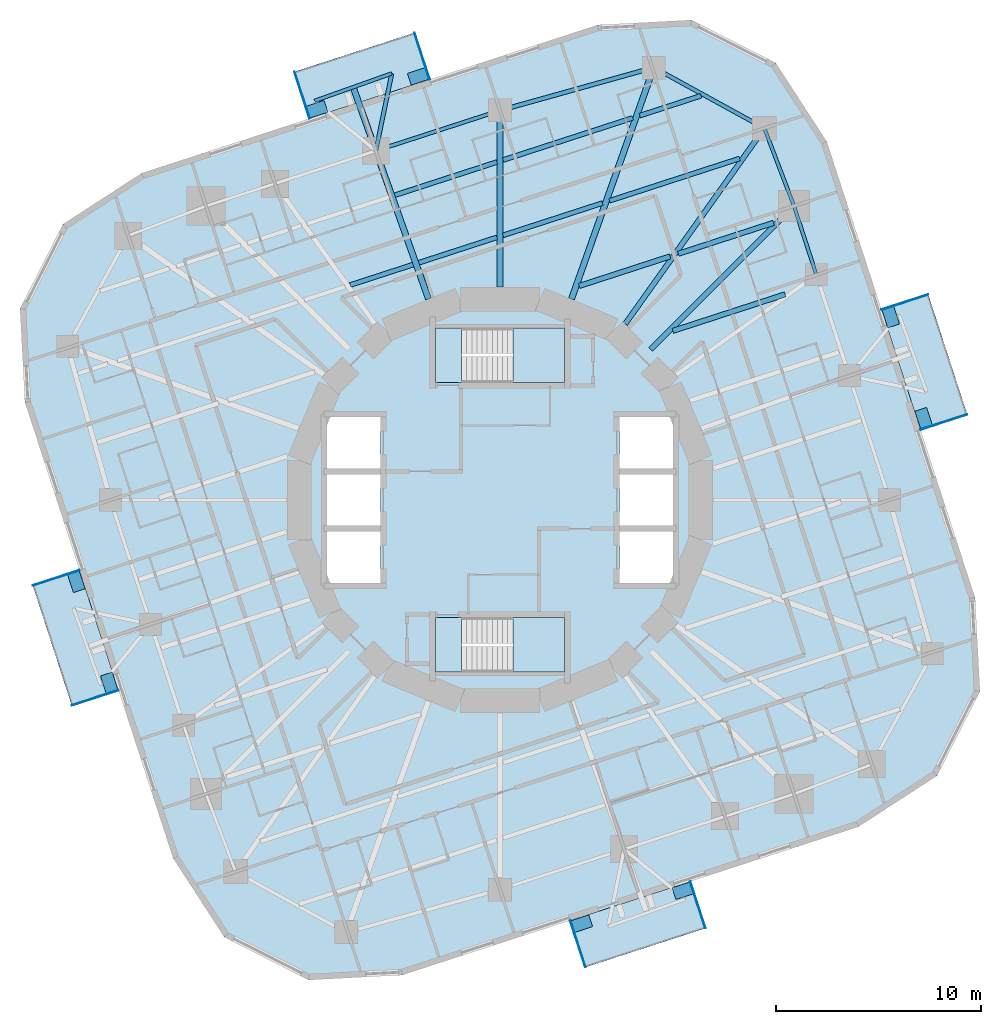
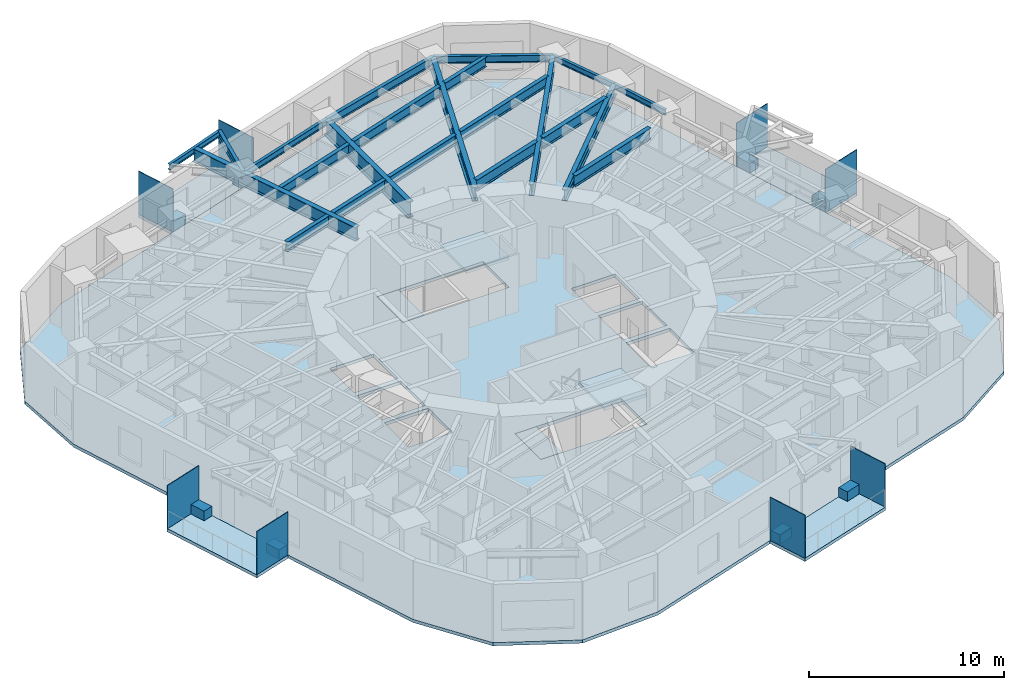
# One storey, part 3 of 13: 22 beams, 16 plates, 9 slabs, 2 elements without a shape of their own.
"""IFC4 building model written with IfcOpenShell, lengths in metres."""

import ifcopenshell
import ifcopenshell.guid

model = None  # the IFC model being written
_history = None  # IfcOwnerHistory: only IFC2X3 demands one
_inside = {}  # id of a spatial element -> (the spatial element, [elements in it])
_under = {}  # id of a project, library or spatial element -> (it, [spatial elements below it])
_declared = {}  # id of a project -> (the project, [libraries it declares])
_typed = {}  # id of a type object -> (the type object, [elements of that type])
_made_of = {}  # id of a material, layer set ... -> (it, [elements and type objects made of it])


def new_model(schema):
    """Start an empty IFC model of exactly this schema.

    Asked for "IFC4X3", IfcOpenShell would pick the latest addendum, in which some entities
    have other attributes; the version numbers below select the first issue.
    IFC2X3 requires an IfcOwnerHistory on every rooted entity: one is made here for all.
    """
    global model, _history
    if schema == "IFC4X3":
        model = ifcopenshell.file(schema_version=(4, 3, 0, 0))
    else:
        model = ifcopenshell.file(schema=schema)
    _inside.clear()
    _under.clear()
    _declared.clear()
    _typed.clear()
    _made_of.clear()
    _history = None
    if model.schema == "IFC2X3":
        org = make("IfcOrganization", Name="unknown")
        user = make(
            "IfcPersonAndOrganization",
            ThePerson=make("IfcPerson", FamilyName="unknown"),
            TheOrganization=org,
        )
        app = make(
            "IfcApplication",
            ApplicationDeveloper=org,
            Version="unknown",
            ApplicationFullName="unknown",
            ApplicationIdentifier="unknown",
        )
        _history = make(
            "IfcOwnerHistory",
            OwningUser=user,
            OwningApplication=app,
            ChangeAction="ADDED",
            CreationDate=0,
        )
    return model


def make(cls, **values):
    """One entity of the class cls with the attributes given. An attribute that is None is left unset."""
    return model.create_entity(
        cls, **{name: value for name, value in values.items() if value is not None}
    )


def rooted(cls, **values):
    """An entity with a GlobalId (a new one), such as an element, a storey or a relation."""
    return make(cls, GlobalId=ifcopenshell.guid.new(), OwnerHistory=_history, **values)


def si_unit(unit_type, name, prefix=None):
    """IfcSIUnit, for example si_unit("LENGTHUNIT", "METRE", prefix="MILLI")."""
    return make("IfcSIUnit", UnitType=unit_type, Prefix=prefix, Name=name)


def assignment(units):
    """IfcUnitAssignment: the units of a project."""
    return None if units is None else make("IfcUnitAssignment", Units=units)


def point(xyz):
    """IfcCartesianPoint."""
    return None if xyz is None else make("IfcCartesianPoint", Coordinates=xyz)


def direction(xyz):
    """IfcDirection."""
    return None if xyz is None else make("IfcDirection", DirectionRatios=xyz)


def frame(location, z_axis=None, x_axis=None):
    """IfcAxis2Placement3D, a coordinate frame: its origin and axes. An axis left out is left unset."""
    return make(
        "IfcAxis2Placement3D",
        Location=point(location),
        Axis=direction(z_axis),
        RefDirection=direction(x_axis),
    )


def frame_2d(location, x_axis=None):
    """IfcAxis2Placement2D, a coordinate frame in the plane: its origin and x axis."""
    return make(
        "IfcAxis2Placement2D", Location=point(location), RefDirection=direction(x_axis)
    )


def origin():
    """The frame at (0, 0, 0) with its axes left unset."""
    return frame((0.0, 0.0, 0.0))


def origin_2d():
    """The frame at (0, 0) in the plane with its x axis left unset."""
    return frame_2d((0.0, 0.0))


def place(relative_to, where):
    """IfcLocalPlacement: puts the frame where relative to a parent placement (None: the world)."""
    return make(
        "IfcLocalPlacement", PlacementRelTo=relative_to, RelativePlacement=where
    )


def context(
    kind, dimensions, precision=None, world=None, true_north=None, identifier=None
):
    """IfcGeometricRepresentationContext, for example the 3D "Model" context."""
    return make(
        "IfcGeometricRepresentationContext",
        ContextIdentifier=identifier,
        ContextType=kind,
        CoordinateSpaceDimension=dimensions,
        Precision=precision,
        WorldCoordinateSystem=world,
        TrueNorth=true_north,
    )


def subcontext(parent, identifier, kind, view, scale=None):
    """IfcGeometricRepresentationSubContext, for example "Body" below "Model"."""
    return make(
        "IfcGeometricRepresentationSubContext",
        ContextIdentifier=identifier,
        ContextType=kind,
        ParentContext=parent,
        TargetScale=scale,
        TargetView=view,
    )


def project(units=None, contexts=None):
    """IfcProject with its units and contexts."""
    return rooted(
        "IfcProject",
        Name="project",
        RepresentationContexts=contexts,
        UnitsInContext=assignment(units),
    )


def spatial(cls, under=None, at=None, **own):
    """A site, building, storey or space (cls), placed at a placement, below another one or the project."""
    s = rooted(cls, ObjectPlacement=at, **own)
    if under is not None:
        _under.setdefault(under.id(), (under, []))[1].append(s)
    return s


def polyline(points):
    """IfcPolyline through the points."""
    return make("IfcPolyline", Points=[point(p) for p in points])


def profile(cls, at=None, kind="AREA", **sizes):
    """A parametric profile (cls). Its sizes go by their IFC names, for example OverallWidth=200.0."""
    return make(cls, ProfileType=kind, Position=at, **sizes)


def rectangle(**sizes):
    """IfcRectangleProfileDef."""
    return profile("IfcRectangleProfileDef", **sizes)


def i_section(**sizes):
    """IfcIShapeProfileDef."""
    return profile("IfcIShapeProfileDef", **sizes)


def outline(outer, holes=None, kind="AREA"):
    """IfcArbitraryClosedProfileDef: a profile drawn as a closed curve; with holes, ...WithVoids."""
    if holes is None:
        return make("IfcArbitraryClosedProfileDef", ProfileType=kind, OuterCurve=outer)
    return make(
        "IfcArbitraryProfileDefWithVoids",
        ProfileType=kind,
        OuterCurve=outer,
        InnerCurves=holes,
    )


def extrude(swept, where, along, depth):
    """IfcExtrudedAreaSolid: the profile swept, set in the frame where, extruded along a direction by depth."""
    return make(
        "IfcExtrudedAreaSolid",
        SweptArea=swept,
        Position=where,
        ExtrudedDirection=direction(along),
        Depth=depth,
    )


def shape(context_of_items, identifier, shape_type, items):
    """IfcShapeRepresentation: the items that make up one representation, for example the "Body"."""
    return make(
        "IfcShapeRepresentation",
        ContextOfItems=context_of_items,
        RepresentationIdentifier=identifier,
        RepresentationType=shape_type,
        Items=items,
    )


def material(Name=None, Category=None):
    """IfcMaterial."""
    return make("IfcMaterial", Name=Name, Category=Category)


def layer(
    of_material, thickness, ventilated=None, Name=None, Category=None, Priority=None
):
    """IfcMaterialLayer: one layer of a wall or slab, of a material (None: an air gap)."""
    return make(
        "IfcMaterialLayer",
        Material=of_material,
        LayerThickness=thickness,
        IsVentilated=ventilated,
        Name=Name,
        Category=Category,
        Priority=Priority,
    )


def layer_set(layers, Name=None):
    """IfcMaterialLayerSet."""
    return make("IfcMaterialLayerSet", MaterialLayers=layers, LayerSetName=Name)


def material_profile(
    of_material, cross_section, Name=None, Category=None, Priority=None
):
    """IfcMaterialProfile: a cross section and its material."""
    return make(
        "IfcMaterialProfile",
        Name=Name,
        Material=of_material,
        Profile=cross_section,
        Priority=Priority,
        Category=Category,
    )


def profile_set(profiles, Name=None, composite=None):
    """IfcMaterialProfileSet."""
    return make(
        "IfcMaterialProfileSet",
        Name=Name,
        MaterialProfiles=profiles,
        CompositeProfile=composite,
    )


def made_of(thing, what):
    """Note that an element or type object is made of a material, layer set ...; save() writes the relation."""
    if what is not None:
        _made_of.setdefault(what.id(), (what, []))[1].append(thing)
    return thing


def type_object(cls, material=None, **own):
    """A type object (cls), such as IfcWallType, which elements share."""
    return made_of(rooted(cls, **own), material)


def element(
    cls,
    number,
    at=None,
    inside=None,
    cuts=None,
    type_object=None,
    material=None,
    context=None,
    identifier="Body",
    shape_type=None,
    held_by="IfcProductDefinitionShape",
    body=None,
    shapes=None,
    **own,
):
    """One element of the class cls, such as IfcWall. Its Tag is "e" and its number.

    at: its placement. inside: the storey or other place that contains it. cuts: it is an
    opening in that element (IfcRelVoidsElement). A single representation is given by context,
    identifier, shape_type and body (its items); several are given by shapes. held_by: the class
    of the entity that holds the representations. save() writes the other relations.
    """
    e = rooted(cls, Tag="e%d" % number, ObjectPlacement=at, **own)
    if body is not None:
        shapes = [shape(context, identifier, shape_type, body)]
    if shapes is not None:
        e.Representation = make(held_by, Representations=shapes)
    if inside is not None:
        _inside.setdefault(inside.id(), (inside, []))[1].append(e)
    if cuts is not None:
        rooted(
            "IfcRelVoidsElement", RelatingBuildingElement=cuts, RelatedOpeningElement=e
        )
    if type_object is not None:
        _typed.setdefault(type_object.id(), (type_object, []))[1].append(e)
    return made_of(e, material)


def aggregate(whole, parts):
    """IfcRelAggregates: a whole, such as a stair, and the parts it consists of."""
    return rooted("IfcRelAggregates", RelatingObject=whole, RelatedObjects=parts)


def save(model, path):
    """Write the relations noted so far, then the file.

    IfcRelAggregates (storeys below a building ...), IfcRelContainedInSpatialStructure (elements
    in a storey), IfcRelDefinesByType, IfcRelAssociatesMaterial and IfcRelDeclares: one each for
    every whole, place, type object, material and project.
    """
    for whole, parts in _under.values():
        aggregate(whole, parts)
    for where, things in _inside.values():
        rooted(
            "IfcRelContainedInSpatialStructure",
            RelatedElements=things,
            RelatingStructure=where,
        )
    for kind, things in _typed.values():
        rooted("IfcRelDefinesByType", RelatedObjects=things, RelatingType=kind)
    for what, things in _made_of.values():
        rooted("IfcRelAssociatesMaterial", RelatedObjects=things, RelatingMaterial=what)
    for by, libraries in _declared.values():
        rooted("IfcRelDeclares", RelatingContext=by, RelatedDefinitions=libraries)
    model.write(path)


model = new_model("IFC4")

# Units and contexts
model_context = context("Model", 3, precision=1e-05, world=origin(), true_north=direction((0.0, 1.0)))
body_context = subcontext(model_context, "Body", "Model", "MODEL_VIEW")
ifc_project = project(units=[si_unit("LENGTHUNIT", "METRE"), si_unit("AREAUNIT", "SQUARE_METRE"), si_unit("VOLUMEUNIT", "CUBIC_METRE"), si_unit("PLANEANGLEUNIT", "RADIAN"), si_unit("MASSUNIT", "GRAM", prefix="KILO")], contexts=[model_context])

# Site, building, storey
site_placement = place(None, origin())
site = spatial("IfcSite", under=ifc_project, at=site_placement, CompositionType="ELEMENT")
building_placement = place(site_placement, origin())
building = spatial("IfcBuilding", under=site, at=building_placement, Name="Nakasero Lantern House", CompositionType="ELEMENT")
storey_placement = place(building_placement, frame((0.0, 0.0, 161.050048828125)))
storey = spatial("IfcBuildingStorey", under=building, at=storey_placement, Name="L39", CompositionType="ELEMENT", Elevation=161.050048828125)

# Beams
ifc_material_1 = material(Name="Steel S355", Category="steel")
ifc_material_profile_1 = material_profile(ifc_material_1, i_section(OverallWidth=0.199462890625, OverallDepth=0.491943359375, WebThickness=0.01806640625, FlangeThickness=0.031982421875, FilletRadius=0.01025390625, at=origin_2d()), Name="UB 457x191x161")
ifc_profile_set_1 = profile_set([ifc_material_profile_1], Name="Steel S355")
beam_type_1 = type_object("IfcBeamType", Name="Balcony splay beam UB 457x191x161", PredefinedType="BEAM", material=ifc_profile_set_1)
beam_1_placement = place(storey_placement, frame((-6.06591796875, 17.060546875, 3.404052734375), z_axis=(0.201831438605, 0.979420272605, 0.0), x_axis=(-0.979420272605, 0.201831438605, 0.0)))
element("IfcBeam", 1, at=beam_1_placement, inside=storey, type_object=beam_type_1, Name="Balcony splay beam L40 B4-C10B", PredefinedType="BEAM", context=body_context, shape_type="SweptSolid", body=[
    extrude(i_section(OverallWidth=0.199462890625, OverallDepth=0.491943359375, WebThickness=0.01806640625, FlangeThickness=0.031982421875, FilletRadius=0.01025390625, at=origin_2d()), origin(), (0.0, 0.0, 1.0), 3.858642578125),
])
ifc_material_2 = material(Name="Steel S355", Category="steel")
ifc_material_profile_2 = material_profile(ifc_material_2, i_section(OverallWidth=0.17138671875, OverallDepth=0.35498046875, WebThickness=0.00732421875, FlangeThickness=0.011474609375, FilletRadius=0.01025390625, at=origin_2d()), Name="UB 356x171x51")
ifc_profile_set_2 = profile_set([ifc_material_profile_2], Name="Steel S355")
beam_type_2 = type_object("IfcBeamType", Name="Balcony tie beam UB 356x171x51", PredefinedType="BEAM", material=ifc_profile_set_2)
beam_2_placement = place(storey_placement, frame((-9.055908203125, 19.499755859375, 3.472412109375), z_axis=(0.942209124415, 0.335025321236, 0.0), x_axis=(-0.335025321236, 0.942209124415, 0.0)))
element("IfcBeam", 2, at=beam_2_placement, inside=storey, type_object=beam_type_2, Name="Balcony tie beam L40 B4-C10", PredefinedType="BEAM", context=body_context, shape_type="SweptSolid", body=[
    extrude(i_section(OverallWidth=0.17138671875, OverallDepth=0.35498046875, WebThickness=0.00732421875, FlangeThickness=0.011474609375, FilletRadius=0.01025390625, at=origin_2d()), origin(), (0.0, 0.0, 1.0), 4.0),
])
ifc_material_3 = material(Name="Steel S355", Category="steel")
ifc_material_profile_3 = material_profile(ifc_material_3, i_section(OverallWidth=0.22900390625, OverallDepth=0.6123046875, WebThickness=0.011962890625, FlangeThickness=0.01953125, FilletRadius=0.0126953125, at=origin_2d()), Name="UB 610x229x125")
ifc_profile_set_3 = profile_set([ifc_material_profile_3], Name="Steel S355")
beam_type_3 = type_object("IfcBeamType", Name="Infill beam UB 610x229x125", PredefinedType="JOIST", material=ifc_profile_set_3)
beam_3_placement = place(storey_placement, frame((-7.31396484375, 10.50390625, 3.34375), z_axis=(0.951054080044, 0.309024492283, 0.0), x_axis=(-0.309024492283, 0.951054080044, 0.0)))
element("IfcBeam", 3, at=beam_3_placement, inside=storey, type_object=beam_type_3, Name="Infill beam L40 11.5", PredefinedType="JOIST", context=body_context, shape_type="SweptSolid", body=[
    extrude(i_section(OverallWidth=0.22900390625, OverallDepth=0.6123046875, WebThickness=0.011962890625, FlangeThickness=0.01953125, FilletRadius=0.0126953125, at=origin_2d()), origin(), (0.0, 0.0, 1.0), 3.227294921875),
])
beam_4_placement = place(storey_placement, frame((-3.96630859375, 11.591796875, 3.34375), z_axis=(0.95105910343, 0.309009031878, 0.0), x_axis=(-0.309009031878, 0.95105910343, 0.0)))
element("IfcBeam", 4, at=beam_4_placement, inside=storey, type_object=beam_type_3, Name="Infill beam L40 11.6", PredefinedType="JOIST", context=body_context, shape_type="SweptSolid", body=[
    extrude(i_section(OverallWidth=0.22900390625, OverallDepth=0.6123046875, WebThickness=0.011962890625, FlangeThickness=0.01953125, FilletRadius=0.0126953125, at=origin_2d()), origin(), (0.0, 0.0, 1.0), 4.0126953125),
])
beam_5_placement = place(storey_placement, frame((0.14990234375, 12.92919921875, 3.34375), z_axis=(0.951057977144, 0.309012498309, 0.0), x_axis=(-0.309012498309, 0.951057977144, 0.0)))
element("IfcBeam", 5, at=beam_5_placement, inside=storey, type_object=beam_type_3, Name="Infill beam L40 11.7", PredefinedType="JOIST", context=body_context, shape_type="SweptSolid", body=[
    extrude(i_section(OverallWidth=0.22900390625, OverallDepth=0.6123046875, WebThickness=0.011962890625, FlangeThickness=0.01953125, FilletRadius=0.0126953125, at=origin_2d()), origin(), (0.0, 0.0, 1.0), 5.102294921875),
])
beam_6_placement = place(storey_placement, frame((5.353271484375, 14.619873046875, 3.34375), z_axis=(0.951056080098, 0.30901833685, 0.0), x_axis=(-0.30901833685, 0.951056080098, 0.0)))
element("IfcBeam", 6, at=beam_6_placement, inside=storey, type_object=beam_type_3, Name="Infill beam L40 11.8", PredefinedType="JOIST", context=body_context, shape_type="SweptSolid", body=[
    extrude(i_section(OverallWidth=0.22900390625, OverallDepth=0.6123046875, WebThickness=0.011962890625, FlangeThickness=0.01953125, FilletRadius=0.0126953125, at=origin_2d()), origin(), (0.0, 0.0, 1.0), 6.68310546875),
])
beam_7_placement = place(storey_placement, frame((-5.139404296875, 14.890625, 3.34375), z_axis=(0.951061765699, 0.309000837904, 0.0), x_axis=(-0.309000837904, 0.951061765699, 0.0)))
element("IfcBeam", 7, at=beam_7_placement, inside=storey, type_object=beam_type_3, Name="Infill beam L40 12.5", PredefinedType="JOIST", context=body_context, shape_type="SweptSolid", body=[
    extrude(i_section(OverallWidth=0.22900390625, OverallDepth=0.6123046875, WebThickness=0.011962890625, FlangeThickness=0.01953125, FilletRadius=0.0126953125, at=origin_2d()), origin(), (0.0, 0.0, 1.0), 5.246337890625),
])
beam_8_placement = place(storey_placement, frame((0.14990234375, 16.609375, 3.34375), z_axis=(0.951068556075, 0.308979937287, 0.0), x_axis=(-0.308979937287, 0.951068556075, 0.0)))
element("IfcBeam", 8, at=beam_8_placement, inside=storey, type_object=beam_type_3, Name="Infill beam L40 12.6", PredefinedType="JOIST", context=body_context, shape_type="SweptSolid", body=[
    extrude(i_section(OverallWidth=0.22900390625, OverallDepth=0.6123046875, WebThickness=0.011962890625, FlangeThickness=0.01953125, FilletRadius=0.0126953125, at=origin_2d()), origin(), (0.0, 0.0, 1.0), 6.65771484375),
])
beam_9_placement = place(storey_placement, frame((6.832763671875, 18.780517578125, 3.34375), z_axis=(0.951054602662, 0.309022883872, 0.0), x_axis=(-0.309022883872, 0.951054602662, 0.0)))
element("IfcBeam", 9, at=beam_9_placement, inside=storey, type_object=beam_type_3, Name="Infill beam L40 12.7", PredefinedType="JOIST", context=body_context, shape_type="SweptSolid", body=[
    extrude(i_section(OverallWidth=0.22900390625, OverallDepth=0.6123046875, WebThickness=0.011962890625, FlangeThickness=0.01953125, FilletRadius=0.0126953125, at=origin_2d()), origin(), (0.0, 0.0, 1.0), 3.145263671875),
])
ifc_material_4 = material(Name="Steel S355", Category="steel")
ifc_material_profile_4 = material_profile(ifc_material_4, i_section(OverallWidth=0.253662109375, OverallDepth=0.68359375, WebThickness=0.012451171875, FlangeThickness=0.01904296875, FilletRadius=0.01513671875, at=origin_2d()), Name="UB 686x254x140")
ifc_profile_set_4 = profile_set([ifc_material_profile_4], Name="Steel S355")
beam_type_4 = type_object("IfcBeamType", Name="Infill beam UB 686x254x140", PredefinedType="JOIST", material=ifc_profile_set_4)
beam_10_placement = place(storey_placement, frame((8.44287109375, 8.263427734375, 3.30810546875), z_axis=(0.951055211673, 0.309021009559, 0.0), x_axis=(-0.309021009559, 0.951055211673, 0.0)))
element("IfcBeam", 10, at=beam_10_placement, inside=storey, type_object=beam_type_4, Name="Infill beam L40 09.2", PredefinedType="JOIST", context=body_context, shape_type="SweptSolid", body=[
    extrude(i_section(OverallWidth=0.253662109375, OverallDepth=0.68359375, WebThickness=0.012451171875, FlangeThickness=0.01904296875, FilletRadius=0.01513671875, at=origin_2d()), origin(), (0.0, 0.0, 1.0), 5.769775390625),
])
beam_11_placement = place(storey_placement, frame((3.8740234375, 10.458984375, 3.30810546875), z_axis=(0.95106063111, 0.309004329989, 0.0), x_axis=(-0.309004329989, 0.95106063111, 0.0)))
element("IfcBeam", 11, at=beam_11_placement, inside=storey, type_object=beam_type_4, Name="Infill beam L40 10.3", PredefinedType="JOIST", context=body_context, shape_type="SweptSolid", body=[
    extrude(i_section(OverallWidth=0.253662109375, OverallDepth=0.68359375, WebThickness=0.012451171875, FlangeThickness=0.01904296875, FilletRadius=0.01513671875, at=origin_2d()), origin(), (0.0, 0.0, 1.0), 4.659912109375),
])
beam_12_placement = place(storey_placement, frame((8.710693359375, 12.030517578125, 3.30810546875), z_axis=(0.951061574069, 0.309001427713, 0.0), x_axis=(-0.309001427713, 0.951061574069, 0.0)))
element("IfcBeam", 12, at=beam_12_placement, inside=storey, type_object=beam_type_4, Name="Infill beam L40 10.4", PredefinedType="JOIST", context=body_context, shape_type="SweptSolid", body=[
    extrude(i_section(OverallWidth=0.253662109375, OverallDepth=0.68359375, WebThickness=0.012451171875, FlangeThickness=0.01904296875, FilletRadius=0.01513671875, at=origin_2d()), origin(), (0.0, 0.0, 1.0), 4.8916015625),
])
ifc_material_5 = material(Name="Steel S355", Category="steel")
ifc_material_profile_5 = material_profile(ifc_material_5, i_section(OverallWidth=0.300048828125, OverallDepth=0.989990234375, WebThickness=0.0166015625, FlangeThickness=0.031005859375, FilletRadius=0.030029296875, at=origin_2d()), Name="UB 1016x305x272")
ifc_profile_set_5 = profile_set([ifc_material_profile_5], Name="Steel S355")
beam_type_5 = type_object("IfcBeamType", Name="Primary beam UB 1016x305x272, span 6 to 9 m", PredefinedType="BEAM", material=ifc_profile_set_5)
beam_13_placement = place(storey_placement, frame((0.0, 19.031494140625, 3.15478515625), z_axis=(0.0, -1.0, 0.0), x_axis=(1.0, 0.0, 0.0)))
element("IfcBeam", 13, at=beam_13_placement, inside=storey, type_object=beam_type_5, Name="Primary beam L40 B4-C09", PredefinedType="BEAM", context=body_context, shape_type="SweptSolid", body=[
    extrude(i_section(OverallWidth=0.300048828125, OverallDepth=0.989990234375, WebThickness=0.0166015625, FlangeThickness=0.031005859375, FilletRadius=0.030029296875, at=origin_2d()), origin(), (0.0, 0.0, 1.0), 8.62353515625),
])
ifc_material_6 = material(Name="Steel S355", Category="steel")
ifc_material_profile_6 = material_profile(ifc_material_6, i_section(OverallWidth=0.253662109375, OverallDepth=0.68359375, WebThickness=0.012451171875, FlangeThickness=0.01904296875, FilletRadius=0.01513671875, at=origin_2d()), Name="UB 686x254x140")
ifc_profile_set_6 = profile_set([ifc_material_profile_6], Name="Steel S355")
beam_type_6 = type_object("IfcBeamType", Name="Primary beam UB 686x254x140, span 9 to 12 m", PredefinedType="BEAM", material=ifc_profile_set_6)
beam_14_placement = place(storey_placement, frame((14.3642578125, 14.3642578125, 3.30810546875), z_axis=(-0.707106781187, -0.707106781187, 0.0), x_axis=(0.707106781187, -0.707106781187, 0.0)))
element("IfcBeam", 14, at=beam_14_placement, inside=storey, type_object=beam_type_6, Name="Primary beam L40 B4-C06", PredefinedType="BEAM", context=body_context, shape_type="SweptSolid", body=[
    extrude(i_section(OverallWidth=0.253662109375, OverallDepth=0.68359375, WebThickness=0.012451171875, FlangeThickness=0.01904296875, FilletRadius=0.01513671875, at=origin_2d()), origin(), (0.0, 0.0, 1.0), 9.906494140625),
])
beam_15_placement = place(storey_placement, frame((12.916015625, 18.1630859375, 3.30810546875), z_axis=(-0.579530236062, -0.814950738075, 0.0), x_axis=(0.814950738075, -0.579530236062, 0.0)))
element("IfcBeam", 15, at=beam_15_placement, inside=storey, type_object=beam_type_6, Name="Primary beam L40 B4-C07", PredefinedType="BEAM", context=body_context, shape_type="SweptSolid", body=[
    extrude(i_section(OverallWidth=0.253662109375, OverallDepth=0.68359375, WebThickness=0.012451171875, FlangeThickness=0.01904296875, FilletRadius=0.01513671875, at=origin_2d()), origin(), (0.0, 0.0, 1.0), 11.73193359375),
])
ifc_material_7 = material(Name="Steel S355", Category="steel")
ifc_material_profile_7 = material_profile(ifc_material_7, i_section(OverallWidth=0.29248046875, OverallDepth=0.8408203125, WebThickness=0.0146484375, FlangeThickness=0.02685546875, FilletRadius=0.017822265625, at=origin_2d()), Name="UB 838x292x194")
ifc_profile_set_7 = profile_set([ifc_material_profile_7], Name="Steel S355")
beam_type_7 = type_object("IfcBeamType", Name="Primary beam UB 838x292x194, span 12 to 15 m", PredefinedType="BEAM", material=ifc_profile_set_7)
beam_16_placement = place(storey_placement, frame((7.5126953125, 21.129638671875, 3.2294921875), z_axis=(-0.335012877559, -0.942213548974, 0.0), x_axis=(0.942213548974, -0.335012877559, 0.0)))
element("IfcBeam", 16, at=beam_16_placement, inside=storey, type_object=beam_type_7, Name="Primary beam L40 B4-C08", PredefinedType="BEAM", context=body_context, shape_type="SweptSolid", body=[
    extrude(i_section(OverallWidth=0.29248046875, OverallDepth=0.8408203125, WebThickness=0.0146484375, FlangeThickness=0.02685546875, FilletRadius=0.017822265625, at=origin_2d()), origin(), (0.0, 0.0, 1.0), 12.00390625),
])
ifc_material_8 = material(Name="Steel S355", Category="steel")
ifc_material_profile_8 = material_profile(ifc_material_8, i_section(OverallWidth=0.29248046875, OverallDepth=0.8408203125, WebThickness=0.0146484375, FlangeThickness=0.02685546875, FilletRadius=0.017822265625, at=origin_2d()), Name="UB 838x292x194")
ifc_profile_set_8 = profile_set([ifc_material_profile_8], Name="Steel S355")
beam_type_8 = type_object("IfcBeamType", Name="Primary beam UB 838x292x194, span 6 to 9 m", PredefinedType="BEAM", material=ifc_profile_set_8)
beam_17_placement = place(storey_placement, frame((-7.17138671875, 20.169921875, 3.2294921875), z_axis=(0.335007036998, -0.942215625619, 0.0), x_axis=(0.942215625619, 0.335007036998, 0.0)))
element("IfcBeam", 17, at=beam_17_placement, inside=storey, type_object=beam_type_8, Name="Primary beam L40 B4-C10", PredefinedType="BEAM", context=body_context, shape_type="SweptSolid", body=[
    extrude(i_section(OverallWidth=0.29248046875, OverallDepth=0.8408203125, WebThickness=0.0146484375, FlangeThickness=0.02685546875, FilletRadius=0.017822265625, at=origin_2d()), origin(), (0.0, 0.0, 1.0), 10.9853515625),
])
ifc_material_9 = material(Name="Steel S355", Category="steel")
ifc_material_profile_9 = material_profile(ifc_material_9, i_section(OverallWidth=0.17138671875, OverallDepth=0.35498046875, WebThickness=0.00732421875, FlangeThickness=0.011474609375, FilletRadius=0.01025390625, at=origin_2d()), Name="UB 356x171x51")
ifc_profile_set_9 = profile_set([ifc_material_profile_9], Name="Steel S355")
beam_type_9 = type_object("IfcBeamType", Name="Ring beam UB 356x171x51", PredefinedType="BEAM", material=ifc_profile_set_9)
beam_18_placement = place(storey_placement, frame((15.45947265625, 10.993408203125, 3.472412109375), z_axis=(-0.309006636447, 0.951059881727, 0.0), x_axis=(-0.951059881727, -0.309006636447, 0.0)))
element("IfcBeam", 18, at=beam_18_placement, inside=storey, type_object=beam_type_9, Name="Ring beam L40 B4-C05", PredefinedType="BEAM", context=body_context, shape_type="SweptSolid", body=[
    extrude(i_section(OverallWidth=0.17138671875, OverallDepth=0.35498046875, WebThickness=0.00732421875, FlangeThickness=0.011474609375, FilletRadius=0.01025390625, at=origin_2d()), origin(), (0.0, 0.0, 1.0), 3.544189453125),
])
beam_19_placement = place(storey_placement, frame((14.3642578125, 14.3642578125, 3.472412109375), z_axis=(-0.35622505813, 0.934400186194, 0.0), x_axis=(-0.934400186194, -0.35622505813, 0.0)))
element("IfcBeam", 19, at=beam_19_placement, inside=storey, type_object=beam_type_9, Name="Ring beam L40 B4-C06", PredefinedType="BEAM", context=body_context, shape_type="SweptSolid", body=[
    extrude(i_section(OverallWidth=0.17138671875, OverallDepth=0.35498046875, WebThickness=0.00732421875, FlangeThickness=0.011474609375, FilletRadius=0.01025390625, at=origin_2d()), origin(), (0.0, 0.0, 1.0), 4.0654296875),
])
ifc_material_10 = material(Name="Steel S355", Category="steel")
ifc_material_profile_10 = material_profile(ifc_material_10, i_section(OverallWidth=0.179443359375, OverallDepth=0.412841796875, WebThickness=0.009521484375, FlangeThickness=0.01611328125, FilletRadius=0.01025390625, at=origin_2d()), Name="UB 406x178x74")
ifc_profile_set_10 = profile_set([ifc_material_profile_10], Name="Steel S355")
beam_type_10 = type_object("IfcBeamType", Name="Ring beam UB 406x178x74", PredefinedType="BEAM", material=ifc_profile_set_10)
beam_20_placement = place(storey_placement, frame((0.0, 19.031494140625, 3.443603515625), z_axis=(-0.951056007502, -0.309018560274, 0.0), x_axis=(0.309018560274, -0.951056007502, 0.0)))
element("IfcBeam", 20, at=beam_20_placement, inside=storey, type_object=beam_type_10, Name="Ring beam L40 B4-C09", PredefinedType="BEAM", context=body_context, shape_type="SweptSolid", body=[
    extrude(i_section(OverallWidth=0.179443359375, OverallDepth=0.412841796875, WebThickness=0.009521484375, FlangeThickness=0.01611328125, FilletRadius=0.01025390625, at=origin_2d()), origin(), (0.0, 0.0, 1.0), 6.378173828125),
])
ifc_material_11 = material(Name="Steel S355", Category="steel")
ifc_material_profile_11 = material_profile(ifc_material_11, i_section(OverallWidth=0.18994140625, OverallDepth=0.453369140625, WebThickness=0.008544921875, FlangeThickness=0.0126953125, FilletRadius=0.01025390625, at=origin_2d()), Name="UB 457x191x67")
ifc_profile_set_11 = profile_set([ifc_material_profile_11], Name="Steel S355")
beam_type_11 = type_object("IfcBeamType", Name="Ring beam UB 457x191x67", PredefinedType="BEAM", material=ifc_profile_set_11)
beam_21_placement = place(storey_placement, frame((12.916015625, 18.1630859375, 3.42333984375), z_axis=(-0.876576912681, 0.481261795861, 0.0), x_axis=(-0.481261795861, -0.876576912681, 0.0)))
element("IfcBeam", 21, at=beam_21_placement, inside=storey, type_object=beam_type_11, Name="Ring beam L40 B4-C07", PredefinedType="BEAM", context=body_context, shape_type="SweptSolid", body=[
    extrude(i_section(OverallWidth=0.18994140625, OverallDepth=0.453369140625, WebThickness=0.008544921875, FlangeThickness=0.0126953125, FilletRadius=0.01025390625, at=origin_2d()), origin(), (0.0, 0.0, 1.0), 6.1640625),
])
ifc_material_12 = material(Name="Steel S355", Category="steel")
ifc_material_profile_12 = material_profile(ifc_material_12, i_section(OverallWidth=0.208740234375, OverallDepth=0.5283203125, WebThickness=0.009521484375, FlangeThickness=0.01318359375, FilletRadius=0.0126953125, at=origin_2d()), Name="UB 533x210x82")
ifc_profile_set_12 = profile_set([ifc_material_profile_12], Name="Steel S355")
beam_type_12 = type_object("IfcBeamType", Name="Ring beam UB 533x210x82", PredefinedType="BEAM", material=ifc_profile_set_12)
beam_22_placement = place(storey_placement, frame((7.5126953125, 21.129638671875, 3.3857421875), z_axis=(-0.963143892339, -0.268986696047, 0.0), x_axis=(0.268986696047, -0.963143892339, 0.0)))
element("IfcBeam", 22, at=beam_22_placement, inside=storey, type_object=beam_type_12, Name="Ring beam L40 B4-C08", PredefinedType="BEAM", context=body_context, shape_type="SweptSolid", body=[
    extrude(i_section(OverallWidth=0.208740234375, OverallDepth=0.5283203125, WebThickness=0.009521484375, FlangeThickness=0.01318359375, FilletRadius=0.0126953125, at=origin_2d()), origin(), (0.0, 0.0, 1.0), 7.80029296875),
])

# Plates
ifc_material_13 = material(Name="Aluminium 6063-T6", Category="aluminium")
ifc_layer_1 = layer(ifc_material_13, 0.60009765625)
ifc_layer_set_1 = layer_set([ifc_layer_1], Name="Balcony planter 600x900")
plate_type_1 = type_object("IfcPlateType", Name="Balcony planter 600x900", PredefinedType="USERDEFINED", material=ifc_layer_set_1)
for number, where, z_axis, x_axis, name in (
    (23, (20.696533203125, 4.00146484375, 0.0), (0.0, 0.0, 1.0), (0.951056516295, 0.309016994375, 0.0), "Balcony PLANTER L39 BAL0A"),
    (24, (19.095703125, 8.927978515625, 0.0), (0.0, 0.0, 1.0), (0.951056516295, 0.309016994375, 0.0), "Balcony PLANTER L39 BAL0B"),
    (25, (-4.00146484375, 20.696533203125, 0.0), (0.0, 0.0, 1.0), (-0.309016994375, 0.951056516295, 0.0), "Balcony PLANTER L39 BAL1A"),
    (26, (-8.927978515625, 19.095703125, 0.0), (0.0, 0.0, 1.0), (-0.309016994375, 0.951056516295, 0.0), "Balcony PLANTER L39 BAL1B"),
    (27, (-20.696533203125, -4.00146484375, 0.0), (0.0, 0.0, 1.0), (-0.951056516295, -0.309016994375, 0.0), "Balcony PLANTER L39 BAL2A"),
    (28, (-19.095703125, -8.927978515625, 0.0), (0.0, 0.0, 1.0), (-0.951056516295, -0.309016994375, 0.0), "Balcony PLANTER L39 BAL2B"),
    (29, (4.00146484375, -20.696533203125, 0.0), (0.0, 0.0, 1.0), (0.309016994375, -0.951056516295, 0.0), "Balcony PLANTER L39 BAL3A"),
    (30, (8.927978515625, -19.095703125, 0.0), (0.0, 0.0, 1.0), (0.309016994375, -0.951056516295, 0.0), "Balcony PLANTER L39 BAL3B"),
):
    element("IfcPlate", number, at=place(storey_placement, frame(where, z_axis=z_axis, x_axis=x_axis)), inside=storey, type_object=plate_type_1, Name=name, ObjectType="PLANTER", PredefinedType="USERDEFINED", context=body_context, shape_type="SweptSolid", body=[
        extrude(rectangle(XDim=0.60009765625, YDim=0.89990234375, at=origin_2d()), origin(), (0.0, 0.0, 1.0), 0.60009765625),
    ])
ifc_material_14 = material(Name="Aluminium 6063-T6", Category="aluminium")
ifc_layer_2 = layer(ifc_material_14, 0.0400390625)
ifc_layer_set_2 = layer_set([ifc_layer_2], Name="Balcony screen 2400x2700")
plate_type_2 = type_object("IfcPlateType", Name="Balcony screen 2400x2700", PredefinedType="SHEET", material=ifc_layer_set_2)
for number, where, z_axis, x_axis, name in (
    (31, (21.684814453125, 3.807373046875, 0.0), (0.0, 0.0, 1.0), (0.951056516295, 0.309016994375, 0.0), "Balcony SCREEN L39 BAL0A"),
    (32, (19.78125, 9.665771484375, 0.0), (0.0, 0.0, 1.0), (0.951056516295, 0.309016994375, 0.0), "Balcony SCREEN L39 BAL0B"),
    (33, (-3.807373046875, 21.684814453125, 0.0), (0.0, 0.0, 1.0), (-0.309016994375, 0.951056516295, 0.0), "Balcony SCREEN L39 BAL1A"),
    (34, (-9.665771484375, 19.78125, 0.0), (0.0, 0.0, 1.0), (-0.309016994375, 0.951056516295, 0.0), "Balcony SCREEN L39 BAL1B"),
    (35, (-21.684814453125, -3.807373046875, 0.0), (0.0, 0.0, 1.0), (-0.951056516295, -0.309016994375, 0.0), "Balcony SCREEN L39 BAL2A"),
    (36, (-19.78125, -9.665771484375, 0.0), (0.0, 0.0, 1.0), (-0.951056516295, -0.309016994375, 0.0), "Balcony SCREEN L39 BAL2B"),
    (37, (3.807373046875, -21.684814453125, 0.0), (0.0, 0.0, 1.0), (0.309016994375, -0.951056516295, 0.0), "Balcony SCREEN L39 BAL3A"),
    (38, (9.665771484375, -19.78125, 0.0), (0.0, 0.0, 1.0), (0.309016994375, -0.951056516295, 0.0), "Balcony SCREEN L39 BAL3B"),
):
    element("IfcPlate", number, at=place(storey_placement, frame(where, z_axis=z_axis, x_axis=x_axis)), inside=storey, type_object=plate_type_2, Name=name, PredefinedType="SHEET", context=body_context, shape_type="SweptSolid", body=[
        extrude(rectangle(XDim=2.39990234375, YDim=0.0400390625, at=origin_2d()), origin(), (0.0, 0.0, 1.0), 2.699951171875),
    ])

# Slabs
ifc_material_15 = material(Name="Concrete C35/45", Category="concrete")
ifc_layer_3 = layer(ifc_material_15, 0.199951171875)
ifc_layer_set_3 = layer_set([ifc_layer_3], Name="Balcony slab 200")
slab_type_1 = type_object("IfcSlabType", Name="Balcony slab 200", PredefinedType="USERDEFINED", material=ifc_layer_set_3)
slab_1_placement = place(storey_placement, frame((0.0, 0.0, -0.199951171875)))
element("IfcSlab", 39, at=slab_1_placement, inside=storey, type_object=slab_type_1, Name="Balcony L39 BAL0", ObjectType="BALCONY", PredefinedType="USERDEFINED", context=body_context, shape_type="SweptSolid", body=[
    extrude(outline(polyline([(20.5498046875, 3.41748046875), (22.832275390625, 4.1591796875), (20.916259765625, 10.0556640625), (18.6337890625, 9.31396484375), (20.5498046875, 3.41748046875)])), origin(), (0.0, 0.0, 1.0), 0.199951171875),
])
slab_2_placement = place(storey_placement, frame((0.0, 0.0, -0.199951171875)))
element("IfcSlab", 40, at=slab_2_placement, inside=storey, type_object=slab_type_1, Name="Balcony L39 BAL1", ObjectType="BALCONY", PredefinedType="USERDEFINED", context=body_context, shape_type="SweptSolid", body=[
    extrude(outline(polyline([(-3.41748046875, 20.5498046875), (-4.1591796875, 22.832275390625), (-10.0556640625, 20.916259765625), (-9.31396484375, 18.6337890625), (-3.41748046875, 20.5498046875)])), origin(), (0.0, 0.0, 1.0), 0.199951171875),
])
slab_3_placement = place(storey_placement, frame((0.0, 0.0, -0.199951171875)))
element("IfcSlab", 41, at=slab_3_placement, inside=storey, type_object=slab_type_1, Name="Balcony L39 BAL2", ObjectType="BALCONY", PredefinedType="USERDEFINED", context=body_context, shape_type="SweptSolid", body=[
    extrude(outline(polyline([(-20.5498046875, -3.41748046875), (-22.832275390625, -4.1591796875), (-20.916259765625, -10.0556640625), (-18.6337890625, -9.31396484375), (-20.5498046875, -3.41748046875)])), origin(), (0.0, 0.0, 1.0), 0.199951171875),
])
slab_4_placement = place(storey_placement, frame((0.0, 0.0, -0.199951171875)))
element("IfcSlab", 42, at=slab_4_placement, inside=storey, type_object=slab_type_1, Name="Balcony L39 BAL3", ObjectType="BALCONY", PredefinedType="USERDEFINED", context=body_context, shape_type="SweptSolid", body=[
    extrude(outline(polyline([(3.41748046875, -20.5498046875), (4.1591796875, -22.832275390625), (10.0556640625, -20.916259765625), (9.31396484375, -18.6337890625), (3.41748046875, -20.5498046875)])), origin(), (0.0, 0.0, 1.0), 0.199951171875),
])
ifc_material_16 = material(Name="Concrete C35/45", Category="concrete")
ifc_layer_4 = layer(ifc_material_16, 0.199951171875)
ifc_layer_set_4 = layer_set([ifc_layer_4], Name="Composite floor slab 200")
slab_type_2 = type_object("IfcSlabType", Name="Composite floor slab 200", PredefinedType="FLOOR", material=ifc_layer_set_4)
slab_5_placement = place(storey_placement, frame((0.0, 0.0, -0.199951171875)))
element("IfcSlab", 43, at=slab_5_placement, inside=storey, type_object=slab_type_2, Name="Floor slab L39", PredefinedType="FLOOR", context=body_context, shape_type="SweptSolid", body=[
    extrude(outline(polyline([(15.976318359375, 17.4931640625), (13.467041015625, 21.35693359375), (9.3623046875, 23.448486328125), (4.76171875, 23.207275390625), (-17.4931640625, 15.976318359375), (-21.35693359375, 13.467041015625), (-23.448486328125, 9.3623046875), (-23.207275390625, 4.76171875), (-15.976318359375, -17.4931640625), (-13.467041015625, -21.35693359375), (-9.3623046875, -23.448486328125), (-4.76171875, -23.207275390625), (17.4931640625, -15.976318359375), (21.35693359375, -13.467041015625), (23.448486328125, -9.3623046875), (23.207275390625, -4.76171875), (15.976318359375, 17.4931640625)]), holes=[polyline([(-8.449951171875, -4.050048828125), (-5.85009765625, -4.050048828125), (-5.85009765625, -1.550048828125), (-8.449951171875, -1.550048828125), (-8.449951171875, -4.050048828125)]), polyline([(-8.449951171875, -1.25), (-5.85009765625, -1.25), (-5.85009765625, 1.25), (-8.449951171875, 1.25), (-8.449951171875, -1.25)]), polyline([(-8.449951171875, 1.550048828125), (-5.85009765625, 1.550048828125), (-5.85009765625, 4.050048828125), (-8.449951171875, 4.050048828125), (-8.449951171875, 1.550048828125)]), polyline([(5.85009765625, -4.050048828125), (8.449951171875, -4.050048828125), (8.449951171875, -1.550048828125), (5.85009765625, -1.550048828125), (5.85009765625, -4.050048828125)]), polyline([(5.85009765625, -1.25), (8.449951171875, -1.25), (8.449951171875, 1.25), (5.85009765625, 1.25), (5.85009765625, -1.25)]), polyline([(5.85009765625, 1.550048828125), (8.449951171875, 1.550048828125), (8.449951171875, 4.050048828125), (5.85009765625, 4.050048828125), (5.85009765625, 1.550048828125)]), polyline([(-3.14990234375, 5.75), (3.14990234375, 5.75), (3.14990234375, 8.39990234375), (-3.14990234375, 8.39990234375), (-3.14990234375, 5.75)]), polyline([(-3.14990234375, -8.39990234375), (3.14990234375, -8.39990234375), (3.14990234375, -5.75), (-3.14990234375, -5.75), (-3.14990234375, -8.39990234375)])]), origin(), (0.0, 0.0, 1.0), 0.199951171875),
])

# Stair, slabs
ifc_material_17 = material(Name="Concrete C40/50", Category="concrete")
stair_type_1 = type_object("IfcStairType", Name="Escape stair ST1 22 risers", PredefinedType="HALF_TURN_STAIR", material=ifc_material_17)
stair_1_placement = place(storey_placement, origin())
stair_1 = element("IfcStair", 44, at=stair_1_placement, inside=storey, type_object=stair_type_1, Name="Escape stair ST1 L39", PredefinedType="HALF_TURN_STAIR")
ifc_material_18 = material(Name="Concrete C40/50", Category="concrete")
ifc_layer_5 = layer(ifc_material_18, 0.199951171875)
ifc_layer_set_5 = layer_set([ifc_layer_5], Name="Stair landing 200")
slab_type_3 = type_object("IfcSlabType", Name="Stair landing 200", PredefinedType="LANDING", material=ifc_layer_set_5)
slab_6_placement = place(storey_placement, frame((0.0, 0.0, -0.199951171875)))
slab_6 = element("IfcSlab", 45, at=slab_6_placement, type_object=slab_type_3, Name="ST1 landing 1", PredefinedType="LANDING", context=body_context, shape_type="SweptSolid", body=[
    extrude(outline(polyline([(-3.14990234375, 5.75), (-1.875, 5.75), (-1.875, 8.39990234375), (-3.14990234375, 8.39990234375), (-3.14990234375, 5.75)])), origin(), (0.0, 0.0, 1.0), 0.199951171875),
])
slab_7_placement = place(storey_placement, frame((0.0, 0.0, 1.724853515625)))
slab_7 = element("IfcSlab", 46, at=slab_7_placement, type_object=slab_type_3, Name="ST1 landing 2", PredefinedType="LANDING", context=body_context, shape_type="SweptSolid", body=[
    extrude(outline(polyline([(0.625, 5.75), (3.14990234375, 5.75), (3.14990234375, 8.39990234375), (0.625, 8.39990234375), (0.625, 5.75)])), origin(), (0.0, 0.0, 1.0), 0.2001953125),
])
aggregate(stair_1, [slab_6, slab_7])

ifc_material_19 = material(Name="Concrete C40/50", Category="concrete")
stair_type_2 = type_object("IfcStairType", Name="Escape stair ST2 22 risers", PredefinedType="HALF_TURN_STAIR", material=ifc_material_19)
stair_2_placement = place(storey_placement, origin())
stair_2 = element("IfcStair", 47, at=stair_2_placement, inside=storey, type_object=stair_type_2, Name="Escape stair ST2 L39", PredefinedType="HALF_TURN_STAIR")
slab_8_placement = place(storey_placement, frame((0.0, 0.0, -0.199951171875)))
slab_8 = element("IfcSlab", 48, at=slab_8_placement, type_object=slab_type_3, Name="ST2 landing 1", PredefinedType="LANDING", context=body_context, shape_type="SweptSolid", body=[
    extrude(outline(polyline([(-3.14990234375, -8.39990234375), (-1.875, -8.39990234375), (-1.875, -5.75), (-3.14990234375, -5.75), (-3.14990234375, -8.39990234375)])), origin(), (0.0, 0.0, 1.0), 0.199951171875),
])
slab_9_placement = place(storey_placement, frame((0.0, 0.0, 1.724853515625)))
slab_9 = element("IfcSlab", 49, at=slab_9_placement, type_object=slab_type_3, Name="ST2 landing 2", PredefinedType="LANDING", context=body_context, shape_type="SweptSolid", body=[
    extrude(outline(polyline([(0.625, -8.39990234375), (3.14990234375, -8.39990234375), (3.14990234375, -5.75), (0.625, -5.75), (0.625, -8.39990234375)])), origin(), (0.0, 0.0, 1.0), 0.2001953125),
])
aggregate(stair_2, [slab_8, slab_9])

save(model, "model.ifc")
